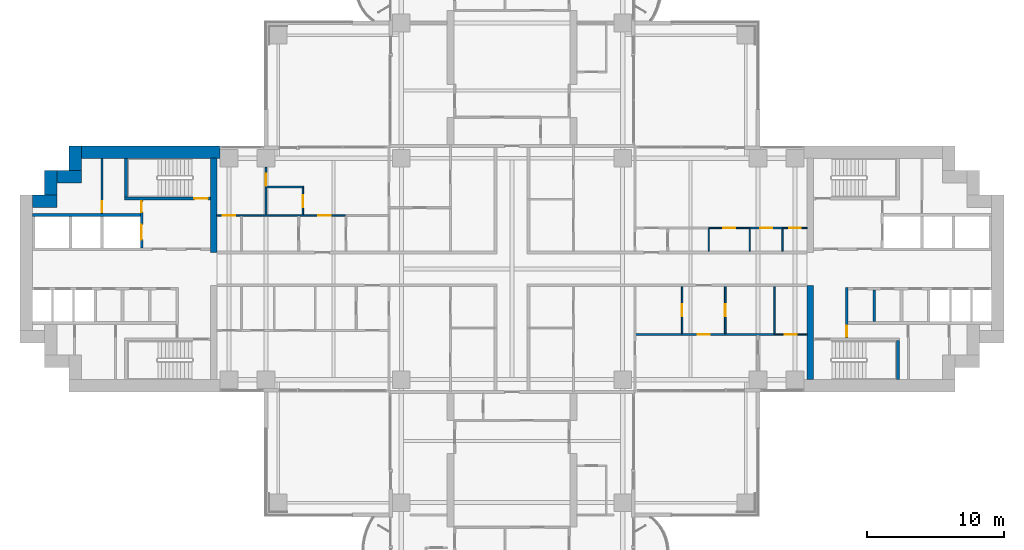
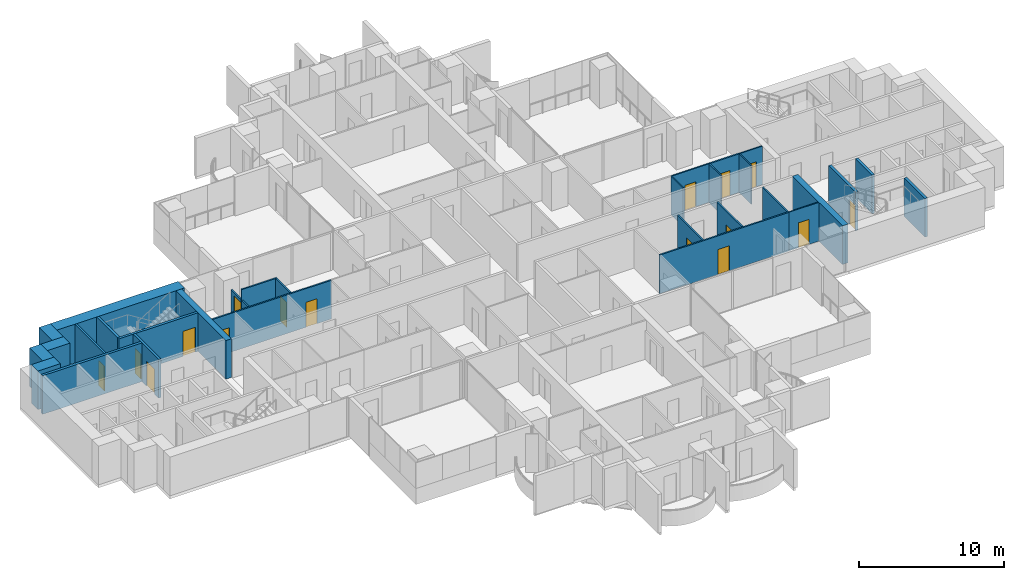
# One storey, part 13 of 21: 30 walls, 16 doors, 16 openings.
"""IFC4 building model written with IfcOpenShell, lengths in metres."""

from ifc_helpers import new_model, si_unit, direction, frame, frame_2d, origin, place, context, subcontext, project, spatial, rectangle, extrude, material, layer, layer_set, type_object, element, fill, save


model = new_model("IFC4")

# Units and contexts
model_context = context("Model", 3, precision=1e-05, world=origin(), true_north=direction((0.0, 1.0)))
body_context = subcontext(model_context, "Body", "Model", "MODEL_VIEW")
ifc_project = project(units=[si_unit("LENGTHUNIT", "METRE"), si_unit("AREAUNIT", "SQUARE_METRE"), si_unit("VOLUMEUNIT", "CUBIC_METRE"), si_unit("PLANEANGLEUNIT", "RADIAN"), si_unit("MASSUNIT", "GRAM", prefix="KILO")], contexts=[model_context])

# Site, building, storey
site_placement = place(None, origin())
site = spatial("IfcSite", under=ifc_project, at=site_placement, CompositionType="ELEMENT")
building_placement = place(site_placement, origin())
building = spatial("IfcBuilding", under=site, at=building_placement, Name="Perihelion Cross Residences", CompositionType="ELEMENT")
storey_placement = place(building_placement, frame((0.0, 0.0, 40.0)))
storey = spatial("IfcBuildingStorey", under=building, at=storey_placement, Name="L06", CompositionType="ELEMENT", Elevation=40.0)

# Walls
ifc_material_1 = material(Name="Concrete C60/75", Category="concrete")
ifc_layer_1 = layer(ifc_material_1, 0.449951171875)
ifc_layer_set_1 = layer_set([ifc_layer_1], Name="Core wall, inner 450")
wall_type_1 = type_object("IfcWallType", Name="Core wall, inner 450", PredefinedType="SHEAR", material=ifc_layer_set_1)
for number, where, z_axis, x_axis, name in (
    (1, (21.824951171875, -8.10009765625, 0.0), (0.0, 0.0, 1.0), (0.0, 1.0, 0.0), "East core core wall, inner"),
    (2, (-21.824951171875, 1.199951171875, 0.0), (0.0, 0.0, 1.0), (0.0, 1.0, 0.0), "West core core wall, inner"),
):
    element("IfcWall", number, at=place(storey_placement, frame(where, z_axis=z_axis, x_axis=x_axis)), inside=storey, type_object=wall_type_1, Name=name, PredefinedType="SHEAR", context=body_context, shape_type="SweptSolid", body=[
        extrude(rectangle(XDim=6.900146484375, YDim=0.449951171875, at=frame_2d((3.4501953125, 0.0))), origin(), (0.0, 0.0, 1.0), 3.25),
    ])
ifc_material_2 = material(Name="Concrete C60/75", Category="concrete")
ifc_layer_2 = layer(ifc_material_2, 0.89990234375)
ifc_layer_set_2 = layer_set([ifc_layer_2], Name="Core wall, outer 900")
wall_type_2 = type_object("IfcWallType", Name="Core wall, outer 900", PredefinedType="SHEAR", material=ifc_layer_set_2)
for number, where, z_axis, x_axis, name in (
    (3, (-35.10009765625, 4.949951171875, 0.0), (0.0, 0.0, 1.0), (1.0, 0.0, 0.0), "West core core wall, outer"),
    (4, (-33.75, 5.39990234375, 0.0), (0.0, 0.0, 1.0), (0.0, 1.0, 0.0), "West core core wall, outer"),
    (5, (-33.300048828125, 6.75, 0.0), (0.0, 0.0, 1.0), (1.0, 0.0, 0.0), "West core core wall, outer"),
    (6, (-31.949951171875, 7.199951171875, 0.0), (0.0, 0.0, 1.0), (0.0, 1.0, 0.0), "West core core wall, outer"),
):
    element("IfcWall", number, at=place(storey_placement, frame(where, z_axis=z_axis, x_axis=x_axis)), inside=storey, type_object=wall_type_2, Name=name, PredefinedType="SHEAR", context=body_context, shape_type="SweptSolid", body=[
        extrude(rectangle(XDim=1.800048828125, YDim=0.89990234375, at=frame_2d((0.89990234375, 0.0))), origin(), (0.0, 0.0, 1.0), 3.25),
    ])
wall_1_placement = place(storey_placement, frame((-31.5, 8.550048828125, 0.0), z_axis=(0.0, 0.0, 1.0), x_axis=(1.0, 0.0, 0.0)))
element("IfcWall", 7, at=wall_1_placement, inside=storey, type_object=wall_type_2, Name="West core core wall, outer", PredefinedType="SHEAR", context=body_context, shape_type="SweptSolid", body=[
    extrude(rectangle(XDim=10.14990234375, YDim=0.89990234375, at=frame_2d((5.074951171875, 0.0))), origin(), (0.0, 0.0, 1.0), 3.25),
])

# Wall, opening, door
ifc_material_3 = material(Name="Concrete C50/60", Category="concrete")
ifc_layer_3 = layer(ifc_material_3, 0.199951171875)
ifc_layer_set_3 = layer_set([ifc_layer_3], Name="Lobby wall 200")
wall_type_3 = type_object("IfcWallType", Name="Lobby wall 200", PredefinedType="SOLIDWALL", material=ifc_layer_set_3)
wall_2_placement = place(storey_placement, frame((24.5, -5.050048828125, 0.0), z_axis=(0.0, 0.0, 1.0), x_axis=(0.0, 1.0, 0.0)))
wall_2 = element("IfcWall", 8, at=wall_2_placement, inside=storey, type_object=wall_type_3, Name="East core lobby wall", PredefinedType="SOLIDWALL", context=body_context, shape_type="SweptSolid", body=[
    extrude(rectangle(XDim=3.699951171875, YDim=0.199951171875, at=frame_2d((1.85009765625, 0.0))), origin(), (0.0, 0.0, 1.0), 3.25),
])
opening_1_placement = place(wall_2_placement, frame((0.10009765625, 0.0, 0.0)))
opening_1 = element("IfcOpeningElement", 9, at=opening_1_placement, cuts=wall_2, Name="Opening L06.C08", PredefinedType="OPENING", context=body_context, shape_type="SweptSolid", body=[
    extrude(rectangle(XDim=0.800048828125, YDim=2.10009765625, at=frame_2d((0.39990234375, 1.050048828125))), frame((0.0, 0.10986328125, 0.0), z_axis=(0.0, -1.0, 0.0), x_axis=(1.0, 0.0, 0.0)), (0.0, 0.0, 1.0), 0.219970703125),
])
ifc_material_4 = material(Name="Steel, powder coated", Category="steel")
door_type_1 = type_object("IfcDoorType", Name="Riser door 800", OperationType="SINGLE_SWING_LEFT", PredefinedType="DOOR", material=ifc_material_4)
door_1_placement = place(opening_1_placement, origin())
door_1 = element("IfcDoor", 10, at=door_1_placement, inside=storey, type_object=door_type_1, Name="East core riser door", OperationType="SINGLE_SWING_LEFT", OverallHeight=2.10009765625, OverallWidth=0.800048828125, PredefinedType="DOOR", context=body_context, shape_type="SweptSolid", body=[
    extrude(rectangle(XDim=0.800048828125, YDim=2.10009765625, at=frame_2d((0.39990234375, 1.050048828125))), frame((0.0, 0.02490234375, 0.0), z_axis=(0.0, -1.0, 0.0), x_axis=(1.0, 0.0, 0.0)), (0.0, 0.0, 1.0), 0.050048828125),
])
fill(opening_1, door_1)

ifc_material_5 = material(Name="Plasterboard partition")
ifc_layer_4 = layer(ifc_material_5, 0.1201171875)
ifc_layer_set_4 = layer_set([ifc_layer_4], Name="Partition wall 120")
wall_type_4 = type_object("IfcWallType", Name="Partition wall 120", PredefinedType="PARTITIONING", material=ifc_layer_set_4)
wall_3_placement = place(storey_placement, frame((17.39990234375, 3.0, 0.0), z_axis=(0.0, 0.0, 1.0), x_axis=(1.0, 0.0, 0.0)))
wall_3 = element("IfcWall", 11, at=wall_3_placement, inside=storey, type_object=wall_type_4, Name="Partition L06 W018", PredefinedType="PARTITIONING", context=body_context, shape_type="SweptSolid", body=[
    extrude(rectangle(XDim=2.400146484375, YDim=0.1201171875, at=frame_2d((1.2001953125, 0.0))), origin(), (0.0, 0.0, 1.0), 3.25),
])
opening_2_placement = place(wall_3_placement, frame((0.75, 0.0, 0.0)))
opening_2 = element("IfcOpeningElement", 12, at=opening_2_placement, cuts=wall_3, Name="Opening L06.A08", PredefinedType="OPENING", context=body_context, shape_type="SweptSolid", body=[
    extrude(rectangle(XDim=0.89990234375, YDim=2.10009765625, at=frame_2d((0.449951171875, 1.050048828125))), frame((0.0, 0.070068359375, 0.0), z_axis=(0.0, -1.0, 0.0), x_axis=(1.0, 0.0, 0.0)), (0.0, 0.0, 1.0), 0.14013671875),
])
ifc_material_6 = material(Name="Timber door leaf", Category="wood")
door_type_2 = type_object("IfcDoorType", Name="Interior room door 900 x 2100", OperationType="SINGLE_SWING_LEFT", PredefinedType="DOOR", material=ifc_material_6)
door_2_placement = place(opening_2_placement, origin())
door_2 = element("IfcDoor", 13, at=door_2_placement, inside=storey, type_object=door_type_2, Name="Door L06.A08", OperationType="SINGLE_SWING_RIGHT", OverallHeight=2.10009765625, OverallWidth=0.89990234375, PredefinedType="DOOR", context=body_context, shape_type="SweptSolid", body=[
    extrude(rectangle(XDim=0.89990234375, YDim=2.10009765625, at=frame_2d((0.449951171875, 1.050048828125))), frame((0.0, 0.02490234375, 0.0), z_axis=(0.0, -1.0, 0.0), x_axis=(1.0, 0.0, 0.0)), (0.0, 0.0, 1.0), 0.050048828125),
])
fill(opening_2, door_2)

wall_4_placement = place(storey_placement, frame((12.449951171875, -1.300048828125, 0.0), z_axis=(0.0, 0.0, 1.0), x_axis=(0.0, -1.0, 0.0)))
wall_4 = element("IfcWall", 14, at=wall_4_placement, inside=storey, type_object=wall_type_4, Name="Partition L06 W023", PredefinedType="PARTITIONING", context=body_context, shape_type="SweptSolid", body=[
    extrude(rectangle(XDim=3.43994140625, YDim=0.1201171875, at=frame_2d((1.719970703125, 0.0))), origin(), (0.0, 0.0, 1.0), 3.25),
])
opening_3_placement = place(wall_4_placement, frame((1.27001953125, 0.0, 0.0)))
opening_3 = element("IfcOpeningElement", 15, at=opening_3_placement, cuts=wall_4, Name="Opening L06.A10", PredefinedType="OPENING", context=body_context, shape_type="SweptSolid", body=[
    extrude(rectangle(XDim=0.89990234375, YDim=2.10009765625, at=frame_2d((0.449951171875, 1.050048828125))), frame((0.0, 0.070068359375, 0.0), z_axis=(0.0, -1.0, 0.0), x_axis=(1.0, 0.0, 0.0)), (0.0, 0.0, 1.0), 0.14013671875),
])
door_3_placement = place(opening_3_placement, origin())
door_3 = element("IfcDoor", 16, at=door_3_placement, inside=storey, type_object=door_type_2, Name="Door L06.A10", OperationType="SINGLE_SWING_RIGHT", OverallHeight=2.10009765625, OverallWidth=0.89990234375, PredefinedType="DOOR", context=body_context, shape_type="SweptSolid", body=[
    extrude(rectangle(XDim=0.89990234375, YDim=2.10009765625, at=frame_2d((0.449951171875, 1.050048828125))), frame((0.0, 0.02490234375, 0.0), z_axis=(0.0, -1.0, 0.0), x_axis=(1.0, 0.0, 0.0)), (0.0, 0.0, 1.0), 0.050048828125),
])
fill(opening_3, door_3)

wall_5_placement = place(storey_placement, frame((19.199951171875, -4.800048828125, 0.0), z_axis=(0.0, 0.0, 1.0), x_axis=(-1.0, 0.0, 0.0)))
wall_5 = element("IfcWall", 17, at=wall_5_placement, inside=storey, type_object=wall_type_4, Name="Partition L06 W024", PredefinedType="PARTITIONING", context=body_context, shape_type="SweptSolid", body=[
    extrude(rectangle(XDim=10.260009765625, YDim=0.1201171875, at=frame_2d((5.1298828125, 0.0))), origin(), (0.0, 0.0, 1.0), 3.25),
])
opening_4_placement = place(wall_5_placement, frame((4.72509765625, 0.0, 0.0)))
opening_4 = element("IfcOpeningElement", 18, at=opening_4_placement, cuts=wall_5, Name="Opening L06.A12", PredefinedType="OPENING", context=body_context, shape_type="SweptSolid", body=[
    extrude(rectangle(XDim=0.89990234375, YDim=2.10009765625, at=frame_2d((0.449951171875, 1.050048828125))), frame((0.0, 0.070068359375, 0.0), z_axis=(0.0, -1.0, 0.0), x_axis=(1.0, 0.0, 0.0)), (0.0, 0.0, 1.0), 0.14013671875),
])
door_4_placement = place(opening_4_placement, origin())
door_4 = element("IfcDoor", 19, at=door_4_placement, inside=storey, type_object=door_type_2, Name="Door L06.A12", OperationType="SINGLE_SWING_RIGHT", OverallHeight=2.10009765625, OverallWidth=0.89990234375, PredefinedType="DOOR", context=body_context, shape_type="SweptSolid", body=[
    extrude(rectangle(XDim=0.89990234375, YDim=2.10009765625, at=frame_2d((0.449951171875, 1.050048828125))), frame((0.0, 0.02490234375, 0.0), z_axis=(0.0, -1.0, 0.0), x_axis=(1.0, 0.0, 0.0)), (0.0, 0.0, 1.0), 0.050048828125),
])
fill(opening_4, door_4)

wall_6_placement = place(storey_placement, frame((15.60009765625, -1.300048828125, 0.0), z_axis=(0.0, 0.0, 1.0), x_axis=(0.0, -1.0, 0.0)))
wall_6 = element("IfcWall", 20, at=wall_6_placement, inside=storey, type_object=wall_type_4, Name="Partition L06 W026", PredefinedType="PARTITIONING", context=body_context, shape_type="SweptSolid", body=[
    extrude(rectangle(XDim=3.43994140625, YDim=0.1201171875, at=frame_2d((1.719970703125, 0.0))), origin(), (0.0, 0.0, 1.0), 3.25),
])
opening_5_placement = place(wall_6_placement, frame((1.27001953125, 0.0, 0.0)))
opening_5 = element("IfcOpeningElement", 21, at=opening_5_placement, cuts=wall_6, Name="Opening L06.A11", PredefinedType="OPENING", context=body_context, shape_type="SweptSolid", body=[
    extrude(rectangle(XDim=0.89990234375, YDim=2.10009765625, at=frame_2d((0.449951171875, 1.050048828125))), frame((0.0, 0.070068359375, 0.0), z_axis=(0.0, -1.0, 0.0), x_axis=(1.0, 0.0, 0.0)), (0.0, 0.0, 1.0), 0.14013671875),
])
door_5_placement = place(opening_5_placement, origin())
door_5 = element("IfcDoor", 22, at=door_5_placement, inside=storey, type_object=door_type_2, Name="Door L06.A11", OperationType="SINGLE_SWING_LEFT", OverallHeight=2.10009765625, OverallWidth=0.89990234375, PredefinedType="DOOR", context=body_context, shape_type="SweptSolid", body=[
    extrude(rectangle(XDim=0.89990234375, YDim=2.10009765625, at=frame_2d((0.449951171875, 1.050048828125))), frame((0.0, 0.02490234375, 0.0), z_axis=(0.0, -1.0, 0.0), x_axis=(1.0, 0.0, 0.0)), (0.0, 0.0, 1.0), 0.050048828125),
])
fill(opening_5, door_5)

# Wall, openings, doors
wall_7_placement = place(storey_placement, frame((-21.60009765625, 3.89990234375, 0.0), z_axis=(0.0, 0.0, 1.0), x_axis=(1.0, 0.0, 0.0)))
wall_7 = element("IfcWall", 23, at=wall_7_placement, inside=storey, type_object=wall_type_4, Name="Partition L06 W037", PredefinedType="PARTITIONING", context=body_context, shape_type="SweptSolid", body=[
    extrude(rectangle(XDim=9.4501953125, YDim=0.1201171875, at=frame_2d((4.72509765625, 0.0))), origin(), (0.0, 0.0, 1.0), 3.25),
])
opening_6_placement = place(wall_7_placement, frame((7.425048828125, 0.0, 0.0)))
opening_6 = element("IfcOpeningElement", 24, at=opening_6_placement, cuts=wall_7, Name="Opening L06.A23", PredefinedType="OPENING", context=body_context, shape_type="SweptSolid", body=[
    extrude(rectangle(XDim=0.89990234375, YDim=2.10009765625, at=frame_2d((0.449951171875, 1.050048828125))), frame((0.0, 0.070068359375, 0.0), z_axis=(0.0, -1.0, 0.0), x_axis=(1.0, 0.0, 0.0)), (0.0, 0.0, 1.0), 0.14013671875),
])
opening_7_placement = place(wall_7_placement, frame((0.449951171875, 0.0, 0.0)))
opening_7 = element("IfcOpeningElement", 25, at=opening_7_placement, cuts=wall_7, Name="Opening L06.A24", PredefinedType="OPENING", context=body_context, shape_type="SweptSolid", body=[
    extrude(rectangle(XDim=0.89990234375, YDim=2.10009765625, at=frame_2d((0.449951171875, 1.050048828125))), frame((0.0, 0.070068359375, 0.0), z_axis=(0.0, -1.0, 0.0), x_axis=(1.0, 0.0, 0.0)), (0.0, 0.0, 1.0), 0.14013671875),
])
door_6_placement = place(opening_6_placement, origin())
door_6 = element("IfcDoor", 26, at=door_6_placement, inside=storey, type_object=door_type_2, Name="Door L06.A23", OperationType="SINGLE_SWING_RIGHT", OverallHeight=2.10009765625, OverallWidth=0.89990234375, PredefinedType="DOOR", context=body_context, shape_type="SweptSolid", body=[
    extrude(rectangle(XDim=0.89990234375, YDim=2.10009765625, at=frame_2d((0.449951171875, 1.050048828125))), frame((0.0, 0.02490234375, 0.0), z_axis=(0.0, -1.0, 0.0), x_axis=(1.0, 0.0, 0.0)), (0.0, 0.0, 1.0), 0.050048828125),
])
fill(opening_6, door_6)
door_7_placement = place(opening_7_placement, origin())
door_7 = element("IfcDoor", 27, at=door_7_placement, inside=storey, type_object=door_type_2, Name="Door L06.A24", OperationType="SINGLE_SWING_LEFT", OverallHeight=2.10009765625, OverallWidth=0.89990234375, PredefinedType="DOOR", context=body_context, shape_type="SweptSolid", body=[
    extrude(rectangle(XDim=0.89990234375, YDim=2.10009765625, at=frame_2d((0.449951171875, 1.050048828125))), frame((0.0, 0.02490234375, 0.0), z_axis=(0.0, -1.0, 0.0), x_axis=(1.0, 0.0, 0.0)), (0.0, 0.0, 1.0), 0.050048828125),
])
fill(opening_7, door_7)

# Wall, opening, door
wall_8_placement = place(storey_placement, frame((-15.300048828125, 3.9599609375, 0.0), z_axis=(0.0, 0.0, 1.0), x_axis=(0.0, 1.0, 0.0)))
wall_8 = element("IfcWall", 28, at=wall_8_placement, inside=storey, type_object=wall_type_4, Name="Partition L06 W039", PredefinedType="PARTITIONING", context=body_context, shape_type="SweptSolid", body=[
    extrude(rectangle(XDim=1.97998046875, YDim=0.1201171875, at=frame_2d((0.989990234375, 0.0))), origin(), (0.0, 0.0, 1.0), 3.25),
])
opening_8_placement = place(wall_8_placement, frame((0.5400390625, 0.0, 0.0)))
opening_8 = element("IfcOpeningElement", 29, at=opening_8_placement, cuts=wall_8, Name="Opening L06.A25", PredefinedType="OPENING", context=body_context, shape_type="SweptSolid", body=[
    extrude(rectangle(XDim=0.89990234375, YDim=2.10009765625, at=frame_2d((0.449951171875, 1.050048828125))), frame((0.0, 0.070068359375, 0.0), z_axis=(0.0, -1.0, 0.0), x_axis=(1.0, 0.0, 0.0)), (0.0, 0.0, 1.0), 0.14013671875),
])
door_8_placement = place(opening_8_placement, origin())
door_8 = element("IfcDoor", 30, at=door_8_placement, inside=storey, type_object=door_type_2, Name="Door L06.A25", OperationType="SINGLE_SWING_LEFT", OverallHeight=2.10009765625, OverallWidth=0.89990234375, PredefinedType="DOOR", context=body_context, shape_type="SweptSolid", body=[
    extrude(rectangle(XDim=0.89990234375, YDim=2.10009765625, at=frame_2d((0.449951171875, 1.050048828125))), frame((0.0, 0.02490234375, 0.0), z_axis=(0.0, -1.0, 0.0), x_axis=(1.0, 0.0, 0.0)), (0.0, 0.0, 1.0), 0.050048828125),
])
fill(opening_8, door_8)

# Wall
wall_9_placement = place(storey_placement, frame((-15.239990234375, 6.0, 0.0), z_axis=(0.0, 0.0, 1.0), x_axis=(-1.0, 0.0, 0.0)))
element("IfcWall", 31, at=wall_9_placement, inside=storey, type_object=wall_type_4, Name="Partition L06 W040", PredefinedType="PARTITIONING", context=body_context, shape_type="SweptSolid", body=[
    extrude(rectangle(XDim=2.820068359375, YDim=0.1201171875, at=frame_2d((1.41015625, 0.0))), origin(), (0.0, 0.0, 1.0), 3.25),
])

# Wall, opening, door
wall_10_placement = place(storey_placement, frame((-18.0, 3.9599609375, 0.0), z_axis=(0.0, 0.0, 1.0), x_axis=(0.0, 1.0, 0.0)))
wall_10 = element("IfcWall", 32, at=wall_10_placement, inside=storey, type_object=wall_type_4, Name="Partition L06 W041", PredefinedType="PARTITIONING", context=body_context, shape_type="SweptSolid", body=[
    extrude(rectangle(XDim=3.489990234375, YDim=0.1201171875, at=frame_2d((1.7451171875, 0.0))), origin(), (0.0, 0.0, 1.0), 2.345947265625),
])
opening_9_placement = place(wall_10_placement, frame((2.110107421875, 0.0, 0.0)))
opening_9 = element("IfcOpeningElement", 33, at=opening_9_placement, cuts=wall_10, Name="Opening L06.A17", PredefinedType="OPENING", context=body_context, shape_type="SweptSolid", body=[
    extrude(rectangle(XDim=0.89990234375, YDim=2.10009765625, at=frame_2d((0.449951171875, 1.050048828125))), frame((0.0, 0.070068359375, 0.0), z_axis=(0.0, -1.0, 0.0), x_axis=(1.0, 0.0, 0.0)), (0.0, 0.0, 1.0), 0.14013671875),
])
door_9_placement = place(opening_9_placement, origin())
door_9 = element("IfcDoor", 34, at=door_9_placement, inside=storey, type_object=door_type_2, Name="Door L06.A17", OperationType="SINGLE_SWING_LEFT", OverallHeight=2.10009765625, OverallWidth=0.89990234375, PredefinedType="DOOR", context=body_context, shape_type="SweptSolid", body=[
    extrude(rectangle(XDim=0.89990234375, YDim=2.10009765625, at=frame_2d((0.449951171875, 1.050048828125))), frame((0.0, 0.02490234375, 0.0), z_axis=(0.0, -1.0, 0.0), x_axis=(1.0, 0.0, 0.0)), (0.0, 0.0, 1.0), 0.050048828125),
])
fill(opening_9, door_9)

ifc_material_7 = material(Name="Fire-rated board on steel stud", Category="steel")
ifc_layer_5 = layer(ifc_material_7, 0.14990234375)
ifc_layer_set_5 = layer_set([ifc_layer_5], Name="Riser wall 150")
wall_type_5 = type_object("IfcWallType", Name="Riser wall 150", PredefinedType="PARTITIONING", material=ifc_layer_set_5)
wall_11_placement = place(storey_placement, frame((-30.0, 4.050048828125, 0.0), z_axis=(0.0, 0.0, 1.0), x_axis=(0.0, 1.0, 0.0)))
wall_11 = element("IfcWall", 35, at=wall_11_placement, inside=storey, type_object=wall_type_5, Name="West core riser wall", PredefinedType="PARTITIONING", context=body_context, shape_type="SweptSolid", body=[
    extrude(rectangle(XDim=4.050048828125, YDim=0.14990234375, at=frame_2d((2.02490234375, 0.0))), origin(), (0.0, 0.0, 1.0), 3.25),
])
opening_10_placement = place(wall_11_placement, frame((0.10009765625, 0.0, 0.0)))
opening_10 = element("IfcOpeningElement", 36, at=opening_10_placement, cuts=wall_11, Name="Opening L06.C31", PredefinedType="OPENING", context=body_context, shape_type="SweptSolid", body=[
    extrude(rectangle(XDim=0.800048828125, YDim=2.10009765625, at=frame_2d((0.39990234375, 1.050048828125))), frame((0.0, 0.0849609375, 0.0), z_axis=(0.0, -1.0, 0.0), x_axis=(1.0, 0.0, 0.0)), (0.0, 0.0, 1.0), 0.169921875),
])
door_10_placement = place(opening_10_placement, origin())
door_10 = element("IfcDoor", 37, at=door_10_placement, inside=storey, type_object=door_type_1, Name="West core riser door", OperationType="SINGLE_SWING_LEFT", OverallHeight=2.10009765625, OverallWidth=0.800048828125, PredefinedType="DOOR", context=body_context, shape_type="SweptSolid", body=[
    extrude(rectangle(XDim=0.800048828125, YDim=2.10009765625, at=frame_2d((0.39990234375, 1.050048828125))), frame((0.0, 0.02490234375, 0.0), z_axis=(0.0, -1.0, 0.0), x_axis=(1.0, 0.0, 0.0)), (0.0, 0.0, 1.0), 0.050048828125),
])
fill(opening_10, door_10)

# Walls
ifc_material_8 = material(Name="Fire-rated board on steel stud", Category="steel")
ifc_layer_6 = layer(ifc_material_8, 0.199951171875)
ifc_layer_set_6 = layer_set([ifc_layer_6], Name="Riser wall 200")
wall_type_6 = type_object("IfcWallType", Name="Riser wall 200", PredefinedType="PARTITIONING", material=ifc_layer_set_6)
wall_12_placement = place(storey_placement, frame((26.5, -3.85009765625, 0.0), z_axis=(0.0, 0.0, 1.0), x_axis=(0.0, 1.0, 0.0)))
element("IfcWall", 38, at=wall_12_placement, inside=storey, type_object=wall_type_6, Name="East core riser wall", PredefinedType="PARTITIONING", context=body_context, shape_type="SweptSolid", body=[
    extrude(rectangle(XDim=2.300048828125, YDim=0.199951171875, at=frame_2d((1.14990234375, 0.0))), origin(), (0.0, 0.0, 1.0), 3.25),
])
ifc_material_9 = material(Name="Concrete C50/60", Category="concrete")
ifc_layer_7 = layer(ifc_material_9, 0.199951171875)
ifc_layer_set_7 = layer_set([ifc_layer_7], Name="Shaft wall 200")
wall_type_7 = type_object("IfcWallType", Name="Shaft wall 200", PredefinedType="SOLIDWALL", material=ifc_layer_set_7)
wall_13_placement = place(storey_placement, frame((-35.10009765625, 3.949951171875, 0.0), z_axis=(0.0, 0.0, 1.0), x_axis=(1.0, 0.0, 0.0)))
element("IfcWall", 39, at=wall_13_placement, inside=storey, type_object=wall_type_7, Name="West core shaft wall", PredefinedType="SOLIDWALL", context=body_context, shape_type="SweptSolid", body=[
    extrude(rectangle(XDim=7.900146484375, YDim=0.199951171875, at=frame_2d((3.9501953125, 0.0))), origin(), (0.0, 0.0, 1.0), 3.25),
])

# Wall, openings, doors
wall_14_placement = place(storey_placement, frame((-27.10009765625, 1.550048828125, 0.0), z_axis=(0.0, 0.0, 1.0), x_axis=(0.0, 1.0, 0.0)))
wall_14 = element("IfcWall", 40, at=wall_14_placement, inside=storey, type_object=wall_type_7, Name="West core shaft wall", PredefinedType="SOLIDWALL", context=body_context, shape_type="SweptSolid", body=[
    extrude(rectangle(XDim=3.5, YDim=0.199951171875, at=frame_2d((1.75, 0.0))), origin(), (0.0, 0.0, 1.0), 3.25),
])
opening_11_placement = place(wall_14_placement, frame((0.60009765625, 0.0, 0.0)))
opening_11 = element("IfcOpeningElement", 41, at=opening_11_placement, cuts=wall_14, Name="Opening L06.C17", PredefinedType="OPENING", context=body_context, shape_type="SweptSolid", body=[
    extrude(rectangle(XDim=1.10009765625, YDim=2.10009765625, at=frame_2d((0.550048828125, 1.050048828125))), frame((0.0, 0.10986328125, 0.0), z_axis=(0.0, -1.0, 0.0), x_axis=(1.0, 0.0, 0.0)), (0.0, 0.0, 1.0), 0.219970703125),
])
opening_12_placement = place(wall_14_placement, frame((2.60009765625, 0.0, 0.0)))
opening_12 = element("IfcOpeningElement", 42, at=opening_12_placement, cuts=wall_14, Name="Opening L06.C27", PredefinedType="OPENING", context=body_context, shape_type="SweptSolid", body=[
    extrude(rectangle(XDim=0.800048828125, YDim=2.10009765625, at=frame_2d((0.39990234375, 1.050048828125))), frame((0.0, 0.10986328125, 0.0), z_axis=(0.0, -1.0, 0.0), x_axis=(1.0, 0.0, 0.0)), (0.0, 0.0, 1.0), 0.219970703125),
])
ifc_material_10 = material(Name="Stainless steel", Category="steel")
door_type_3 = type_object("IfcDoorType", Name="Landing door, firefighting lift 1100", OperationType="DOUBLE_DOOR_SLIDING", PredefinedType="DOOR", material=ifc_material_10)
door_11_placement = place(opening_11_placement, origin())
door_11 = element("IfcDoor", 43, at=door_11_placement, inside=storey, type_object=door_type_3, Name="Landing door, West core firefighting and service lift", OperationType="DOUBLE_DOOR_SLIDING", OverallHeight=2.10009765625, OverallWidth=1.10009765625, PredefinedType="DOOR", context=body_context, shape_type="SweptSolid", body=[
    extrude(rectangle(XDim=1.10009765625, YDim=2.10009765625, at=frame_2d((0.550048828125, 1.050048828125))), frame((0.0, 0.02490234375, 0.0), z_axis=(0.0, -1.0, 0.0), x_axis=(1.0, 0.0, 0.0)), (0.0, 0.0, 1.0), 0.050048828125),
])
fill(opening_11, door_11)
door_12_placement = place(opening_12_placement, origin())
door_12 = element("IfcDoor", 44, at=door_12_placement, inside=storey, type_object=door_type_1, Name="West core riser door", OperationType="SINGLE_SWING_LEFT", OverallHeight=2.10009765625, OverallWidth=0.800048828125, PredefinedType="DOOR", context=body_context, shape_type="SweptSolid", body=[
    extrude(rectangle(XDim=0.800048828125, YDim=2.10009765625, at=frame_2d((0.39990234375, 1.050048828125))), frame((0.0, 0.02490234375, 0.0), z_axis=(0.0, -1.0, 0.0), x_axis=(1.0, 0.0, 0.0)), (0.0, 0.0, 1.0), 0.050048828125),
])
fill(opening_12, door_12)

# Wall
ifc_material_11 = material(Name="Concrete C50/60", Category="concrete")
ifc_layer_8 = layer(ifc_material_11, 0.199951171875)
ifc_layer_set_8 = layer_set([ifc_layer_8], Name="Stair wall 200")
wall_type_8 = type_object("IfcWallType", Name="Stair wall 200", PredefinedType="SOLIDWALL", material=ifc_layer_set_8)
wall_15_placement = place(storey_placement, frame((28.25, -8.10009765625, 0.0), z_axis=(0.0, 0.0, 1.0), x_axis=(0.0, 1.0, 0.0)))
element("IfcWall", 45, at=wall_15_placement, inside=storey, type_object=wall_type_8, Name="East core stair wall", PredefinedType="SOLIDWALL", context=body_context, shape_type="SweptSolid", body=[
    extrude(rectangle(XDim=2.85009765625, YDim=0.199951171875, at=frame_2d((1.425048828125, 0.0))), origin(), (0.0, 0.0, 1.0), 3.25),
])

# Wall, opening, door
wall_16_placement = place(storey_placement, frame((-28.35009765625, 5.14990234375, 0.0), z_axis=(0.0, 0.0, 1.0), x_axis=(1.0, 0.0, 0.0)))
wall_16 = element("IfcWall", 46, at=wall_16_placement, inside=storey, type_object=wall_type_8, Name="West core stair wall", PredefinedType="SOLIDWALL", context=body_context, shape_type="SweptSolid", body=[
    extrude(rectangle(XDim=6.300048828125, YDim=0.199951171875, at=frame_2d((3.14990234375, 0.0))), origin(), (0.0, 0.0, 1.0), 3.25),
])
opening_13_placement = place(wall_16_placement, frame((5.10009765625, 0.0, 0.0)))
opening_13 = element("IfcOpeningElement", 47, at=opening_13_placement, cuts=wall_16, Name="Opening L06.C22", PredefinedType="OPENING", context=body_context, shape_type="SweptSolid", body=[
    extrude(rectangle(XDim=1.0, YDim=2.10009765625, at=frame_2d((0.5, 1.050048828125))), frame((0.0, 0.10986328125, 0.0), z_axis=(0.0, -1.0, 0.0), x_axis=(1.0, 0.0, 0.0)), (0.0, 0.0, 1.0), 0.219970703125),
])
ifc_material_12 = material(Name="Steel, powder coated", Category="steel")
door_type_4 = type_object("IfcDoorType", Name="Stair door 1000", OperationType="SINGLE_SWING_LEFT", PredefinedType="DOOR", material=ifc_material_12)
door_13_placement = place(opening_13_placement, origin())
door_13 = element("IfcDoor", 48, at=door_13_placement, inside=storey, type_object=door_type_4, Name="West core stair door", OperationType="SINGLE_SWING_LEFT", OverallHeight=2.10009765625, OverallWidth=1.0, PredefinedType="DOOR", context=body_context, shape_type="SweptSolid", body=[
    extrude(rectangle(XDim=1.0, YDim=2.10009765625, at=frame_2d((0.5, 1.050048828125))), frame((0.0, 0.02490234375, 0.0), z_axis=(0.0, -1.0, 0.0), x_axis=(1.0, 0.0, 0.0)), (0.0, 0.0, 1.0), 0.050048828125),
])
fill(opening_13, door_13)

# Walls
wall_17_placement = place(storey_placement, frame((-28.25, 5.25, 0.0), z_axis=(0.0, 0.0, 1.0), x_axis=(0.0, 1.0, 0.0)))
element("IfcWall", 49, at=wall_17_placement, inside=storey, type_object=wall_type_8, Name="West core stair wall", PredefinedType="SOLIDWALL", context=body_context, shape_type="SweptSolid", body=[
    extrude(rectangle(XDim=2.85009765625, YDim=0.199951171875, at=frame_2d((1.425048828125, 0.0))), origin(), (0.0, 0.0, 1.0), 3.25),
])
ifc_material_13 = material(Name="Plasterboard partition")
ifc_layer_9 = layer(ifc_material_13, 0.10009765625)
ifc_layer_set_9 = layer_set([ifc_layer_9], Name="Wet room wall 100")
wall_type_9 = type_object("IfcWallType", Name="Wet room wall 100", PredefinedType="PARTITIONING", material=ifc_layer_set_9)
for number, where, z_axis, x_axis, name in (
    (50, (14.39990234375, 2.93994140625, 0.0), (0.0, 0.0, 1.0), (0.0, -1.0, 0.0), "Partition L06 W014"),
    (51, (17.39990234375, 2.93994140625, 0.0), (0.0, 0.0, 1.0), (0.0, -1.0, 0.0), "Partition L06 W015"),
):
    element("IfcWall", number, at=place(storey_placement, frame(where, z_axis=z_axis, x_axis=x_axis)), inside=storey, type_object=wall_type_9, Name=name, PredefinedType="PARTITIONING", context=body_context, shape_type="SweptSolid", body=[
        extrude(rectangle(XDim=1.639892578125, YDim=0.10009765625, at=frame_2d((0.81982421875, 0.0))), origin(), (0.0, 0.0, 1.0), 3.25),
    ])

# Wall, opening, door
wall_18_placement = place(storey_placement, frame((14.39990234375, 3.0, 0.0), z_axis=(0.0, 0.0, 1.0), x_axis=(1.0, 0.0, 0.0)))
wall_18 = element("IfcWall", 52, at=wall_18_placement, inside=storey, type_object=wall_type_9, Name="Partition L06 W016", PredefinedType="PARTITIONING", context=body_context, shape_type="SweptSolid", body=[
    extrude(rectangle(XDim=3.0, YDim=0.10009765625, at=frame_2d((1.5, 0.0))), origin(), (0.0, 0.0, 1.0), 3.25),
])
opening_14_placement = place(wall_18_placement, frame((1.074951171875, 0.0, 0.0)))
opening_14 = element("IfcOpeningElement", 53, at=opening_14_placement, cuts=wall_18, Name="Opening L06.A01", PredefinedType="OPENING", context=body_context, shape_type="SweptSolid", body=[
    extrude(rectangle(XDim=0.85009765625, YDim=2.10009765625, at=frame_2d((0.425048828125, 1.050048828125))), frame((0.0, 0.06005859375, 0.0), z_axis=(0.0, -1.0, 0.0), x_axis=(1.0, 0.0, 0.0)), (0.0, 0.0, 1.0), 0.1201171875),
])
ifc_material_14 = material(Name="Timber door leaf", Category="wood")
door_type_5 = type_object("IfcDoorType", Name="Interior bathroom door 850 x 2100", OperationType="SINGLE_SWING_LEFT", PredefinedType="DOOR", material=ifc_material_14)
door_14_placement = place(opening_14_placement, origin())
door_14 = element("IfcDoor", 54, at=door_14_placement, inside=storey, type_object=door_type_5, Name="Door L06.A01", OperationType="SINGLE_SWING_LEFT", OverallHeight=2.10009765625, OverallWidth=0.85009765625, PredefinedType="DOOR", context=body_context, shape_type="SweptSolid", body=[
    extrude(rectangle(XDim=0.85009765625, YDim=2.10009765625, at=frame_2d((0.425048828125, 1.050048828125))), frame((0.0, 0.02490234375, 0.0), z_axis=(0.0, -1.0, 0.0), x_axis=(1.0, 0.0, 0.0)), (0.0, 0.0, 1.0), 0.050048828125),
])
fill(opening_14, door_14)

# Wall
wall_19_placement = place(storey_placement, frame((19.800048828125, 2.93994140625, 0.0), z_axis=(0.0, 0.0, 1.0), x_axis=(0.0, -1.0, 0.0)))
element("IfcWall", 55, at=wall_19_placement, inside=storey, type_object=wall_type_9, Name="Partition L06 W017", PredefinedType="PARTITIONING", context=body_context, shape_type="SweptSolid", body=[
    extrude(rectangle(XDim=1.639892578125, YDim=0.10009765625, at=frame_2d((0.81982421875, 0.0))), origin(), (0.0, 0.0, 1.0), 3.25),
])

# Wall, opening, door
wall_20_placement = place(storey_placement, frame((19.800048828125, 3.0, 0.0), z_axis=(0.0, 0.0, 1.0), x_axis=(1.0, 0.0, 0.0)))
wall_20 = element("IfcWall", 56, at=wall_20_placement, inside=storey, type_object=wall_type_9, Name="Partition L06 W019", PredefinedType="PARTITIONING", context=body_context, shape_type="SweptSolid", body=[
    extrude(rectangle(XDim=1.800048828125, YDim=0.10009765625, at=frame_2d((0.89990234375, 0.0))), origin(), (0.0, 0.0, 1.0), 3.25),
])
opening_15_placement = place(wall_20_placement, frame((0.47509765625, 0.0, 0.0)))
opening_15 = element("IfcOpeningElement", 57, at=opening_15_placement, cuts=wall_20, Name="Opening L06.A06", PredefinedType="OPENING", context=body_context, shape_type="SweptSolid", body=[
    extrude(rectangle(XDim=0.85009765625, YDim=2.10009765625, at=frame_2d((0.425048828125, 1.050048828125))), frame((0.0, 0.06005859375, 0.0), z_axis=(0.0, -1.0, 0.0), x_axis=(1.0, 0.0, 0.0)), (0.0, 0.0, 1.0), 0.1201171875),
])
door_15_placement = place(opening_15_placement, origin())
door_15 = element("IfcDoor", 58, at=door_15_placement, inside=storey, type_object=door_type_5, Name="Door L06.A06", OperationType="SINGLE_SWING_LEFT", OverallHeight=2.10009765625, OverallWidth=0.85009765625, PredefinedType="DOOR", context=body_context, shape_type="SweptSolid", body=[
    extrude(rectangle(XDim=0.85009765625, YDim=2.10009765625, at=frame_2d((0.425048828125, 1.050048828125))), frame((0.0, 0.02490234375, 0.0), z_axis=(0.0, -1.0, 0.0), x_axis=(1.0, 0.0, 0.0)), (0.0, 0.0, 1.0), 0.050048828125),
])
fill(opening_15, door_15)

# Wall
wall_21_placement = place(storey_placement, frame((19.199951171875, -1.300048828125, 0.0), z_axis=(0.0, 0.0, 1.0), x_axis=(0.0, -1.0, 0.0)))
element("IfcWall", 59, at=wall_21_placement, inside=storey, type_object=wall_type_9, Name="Partition L06 W027", PredefinedType="PARTITIONING", context=body_context, shape_type="SweptSolid", body=[
    extrude(rectangle(XDim=3.43994140625, YDim=0.10009765625, at=frame_2d((1.719970703125, 0.0))), origin(), (0.0, 0.0, 1.0), 3.25),
])

# Wall, opening, door
wall_22_placement = place(storey_placement, frame((21.60009765625, -4.800048828125, 0.0), z_axis=(0.0, 0.0, 1.0), x_axis=(-1.0, 0.0, 0.0)))
wall_22 = element("IfcWall", 60, at=wall_22_placement, inside=storey, type_object=wall_type_9, Name="Partition L06 W028", PredefinedType="PARTITIONING", context=body_context, shape_type="SweptSolid", body=[
    extrude(rectangle(XDim=2.400146484375, YDim=0.10009765625, at=frame_2d((1.2001953125, 0.0))), origin(), (0.0, 0.0, 1.0), 3.25),
])
opening_16_placement = place(wall_22_placement, frame((0.77490234375, 0.0, 0.0)))
opening_16 = element("IfcOpeningElement", 61, at=opening_16_placement, cuts=wall_22, Name="Opening L06.A16", PredefinedType="OPENING", context=body_context, shape_type="SweptSolid", body=[
    extrude(rectangle(XDim=0.85009765625, YDim=2.10009765625, at=frame_2d((0.425048828125, 1.050048828125))), frame((0.0, 0.06005859375, 0.0), z_axis=(0.0, -1.0, 0.0), x_axis=(1.0, 0.0, 0.0)), (0.0, 0.0, 1.0), 0.1201171875),
])
door_16_placement = place(opening_16_placement, origin())
door_16 = element("IfcDoor", 62, at=door_16_placement, inside=storey, type_object=door_type_5, Name="Door L06.A16", OperationType="SINGLE_SWING_LEFT", OverallHeight=2.10009765625, OverallWidth=0.85009765625, PredefinedType="DOOR", context=body_context, shape_type="SweptSolid", body=[
    extrude(rectangle(XDim=0.85009765625, YDim=2.10009765625, at=frame_2d((0.425048828125, 1.050048828125))), frame((0.0, 0.02490234375, 0.0), z_axis=(0.0, -1.0, 0.0), x_axis=(1.0, 0.0, 0.0)), (0.0, 0.0, 1.0), 0.050048828125),
])
fill(opening_16, door_16)

save(model, "model.ifc")
